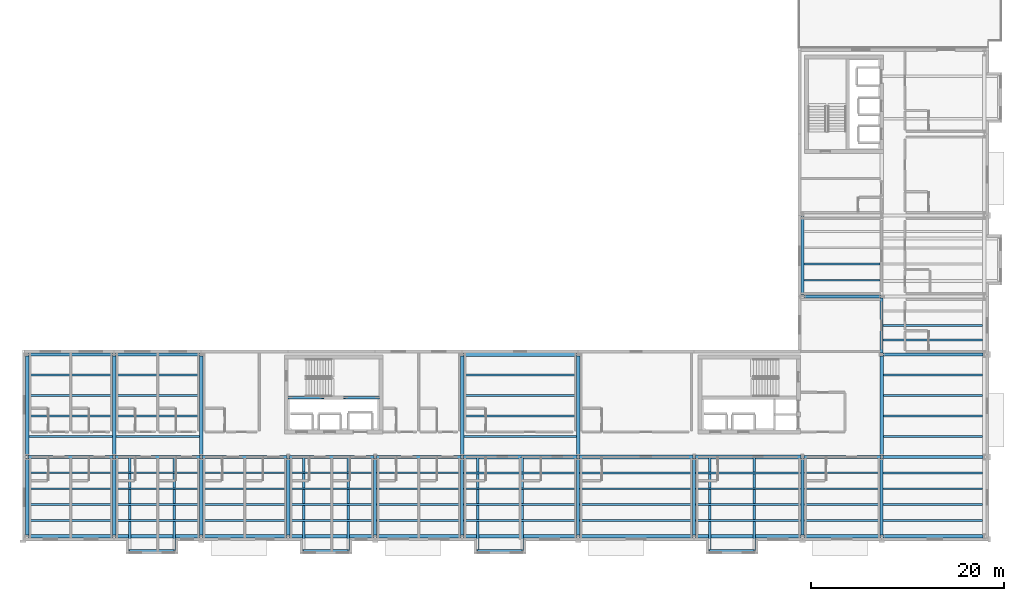
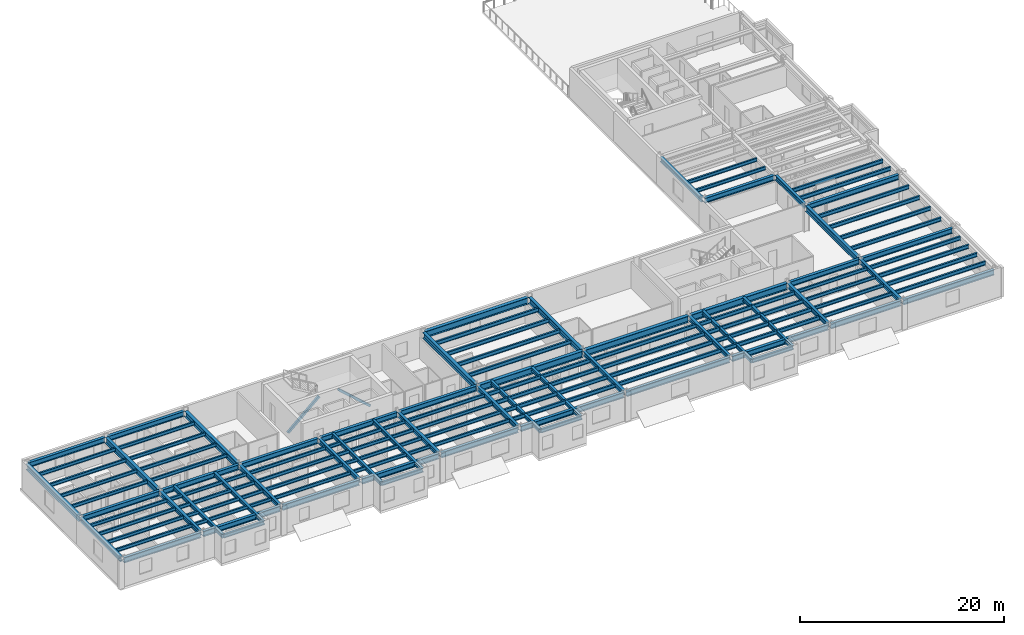
# One storey, part 4 of 19: 115 beams, 2 members.
"""IFC4 building model written with IfcOpenShell, lengths in metres."""

from ifc_helpers import new_model, si_unit, direction, frame, origin, origin_2d, place, context, subcontext, project, spatial, hollow_rectangle, i_section, extrude, material, material_profile, profile_set, type_object, element, save


model = new_model("IFC4")

# Units and contexts
model_context = context("Model", 3, precision=1e-05, world=origin(), true_north=direction((0.0, 1.0)))
body_context = subcontext(model_context, "Body", "Model", "MODEL_VIEW")
ifc_project = project(units=[si_unit("LENGTHUNIT", "METRE"), si_unit("AREAUNIT", "SQUARE_METRE"), si_unit("VOLUMEUNIT", "CUBIC_METRE"), si_unit("PLANEANGLEUNIT", "RADIAN"), si_unit("MASSUNIT", "GRAM", prefix="KILO")], contexts=[model_context])

# Site, building, storey
site_placement = place(None, origin())
site = spatial("IfcSite", under=ifc_project, at=site_placement, CompositionType="ELEMENT")
building_placement = place(site_placement, origin())
building = spatial("IfcBuilding", under=site, at=building_placement, Name="Sollismere Congress Hotel", CompositionType="ELEMENT")
storey_placement = place(building_placement, frame((0.0, 0.0, 34.10009765625)))
storey = spatial("IfcBuildingStorey", under=building, at=storey_placement, Name="L08", CompositionType="ELEMENT", Elevation=34.10009765625)

# Beams
ifc_material_1 = material(Name="Steel ASTM A992 Grade 50", Category="steel")
ifc_material_profile_1 = material_profile(ifc_material_1, i_section(OverallWidth=0.281982421875, OverallDepth=0.471923828125, WebThickness=0.013671875, FlangeThickness=0.022216796875, at=origin_2d()), Name="W18X97")
ifc_profile_set_1 = profile_set([ifc_material_profile_1], Name="Steel ASTM A992 Grade 50")
beam_type_1 = type_object("IfcBeamType", Name="BM-CK18E", PredefinedType="BEAM", material=ifc_profile_set_1)
for number, where, z_axis, x_axis, name in (
    (1, (77.60009765625, 8.199951171875, 2.97900390625), (0.0, -1.0, 0.0), (1.0, 0.0, 0.0), "Beam BM-L08-4014"),
    (2, (82.199951171875, 8.199951171875, 2.97900390625), (0.0, -1.0, 0.0), (1.0, 0.0, 0.0), "Beam BM-L08-4015"),
    (3, (95.60009765625, 8.199951171875, 2.97900390625), (0.0, -1.0, 0.0), (1.0, 0.0, 0.0), "Beam BM-L08-4017"),
    (4, (100.199951171875, 8.199951171875, 2.97900390625), (0.0, -1.0, 0.0), (1.0, 0.0, 0.0), "Beam BM-L08-4018"),
    (5, (113.60009765625, 8.199951171875, 2.97900390625), (0.0, -1.0, 0.0), (1.0, 0.0, 0.0), "Beam BM-L08-4020"),
    (6, (118.199951171875, 8.199951171875, 2.97900390625), (0.0, -1.0, 0.0), (1.0, 0.0, 0.0), "Beam BM-L08-4021"),
    (7, (137.60009765625, 8.199951171875, 2.97900390625), (0.0, -1.0, 0.0), (1.0, 0.0, 0.0), "Beam BM-L08-4023"),
    (8, (142.199951171875, 8.199951171875, 2.97900390625), (0.0, -1.0, 0.0), (1.0, 0.0, 0.0), "Beam BM-L08-4024"),
):
    element("IfcBeam", number, at=place(storey_placement, frame(where, z_axis=z_axis, x_axis=x_axis)), inside=storey, type_object=beam_type_1, Name=name, PredefinedType="BEAM", context=body_context, shape_type="SweptSolid", body=[
        extrude(i_section(OverallWidth=0.281982421875, OverallDepth=0.471923828125, WebThickness=0.013671875, FlangeThickness=0.022216796875, at=origin_2d()), origin(), (0.0, 0.0, 1.0), 9.68994140625),
    ])
ifc_material_profile_2 = material_profile(ifc_material_1, i_section(OverallWidth=0.31494140625, OverallDepth=0.551025390625, WebThickness=0.01513671875, FlangeThickness=0.0244140625, at=origin_2d()), Name="W21X122")
ifc_profile_set_2 = profile_set([ifc_material_profile_2], Name="Steel ASTM A992 Grade 50")
beam_type_2 = type_object("IfcBeamType", Name="BM-G21H", PredefinedType="BEAM", material=ifc_profile_set_2)
for number, where, z_axis, x_axis, name in (
    (9, (67.0, 0.139892578125, 2.939453125), (0.0, 1.0, 0.0), (-1.0, 0.0, 0.0), "Beam BM-L08-3436"),
    (10, (76.0, 0.139892578125, 2.939453125), (0.0, 1.0, 0.0), (-1.0, 0.0, 0.0), "Beam BM-L08-3438"),
    (11, (85.0, 0.139892578125, 2.939453125), (0.0, 1.0, 0.0), (-1.0, 0.0, 0.0), "Beam BM-L08-3440"),
    (12, (94.0, 0.139892578125, 2.939453125), (0.0, 1.0, 0.0), (-1.0, 0.0, 0.0), "Beam BM-L08-3442"),
    (13, (103.0, 0.139892578125, 2.939453125), (0.0, 1.0, 0.0), (-1.0, 0.0, 0.0), "Beam BM-L08-3443"),
    (14, (112.0, 0.139892578125, 2.939453125), (0.0, 1.0, 0.0), (-1.0, 0.0, 0.0), "Beam BM-L08-3444"),
    (15, (124.0, 0.139892578125, 2.939453125), (0.0, 1.0, 0.0), (-1.0, 0.0, 0.0), "Beam BM-L08-3446"),
    (16, (136.0, 0.139892578125, 2.939453125), (0.0, 1.0, 0.0), (-1.0, 0.0, 0.0), "Beam BM-L08-3448"),
    (17, (147.199951171875, 0.139892578125, 2.939453125), (0.0, 1.0, 0.0), (-1.0, 0.0, 0.0), "Beam BM-L08-3449"),
):
    element("IfcBeam", number, at=place(storey_placement, frame(where, z_axis=z_axis, x_axis=x_axis)), inside=storey, type_object=beam_type_2, Name=name, PredefinedType="BEAM", context=body_context, shape_type="SweptSolid", body=[
        extrude(i_section(OverallWidth=0.31494140625, OverallDepth=0.551025390625, WebThickness=0.01513671875, FlangeThickness=0.0244140625, at=origin_2d()), origin(), (0.0, 0.0, 1.0), 7.920166015625),
    ])
beam_1_placement = place(storey_placement, frame((147.199951171875, 24.93994140625, 2.939453125), z_axis=(0.0, 1.0, 0.0), x_axis=(-1.0, 0.0, 0.0)))
element("IfcBeam", 18, at=beam_1_placement, inside=storey, type_object=beam_type_2, Name="Beam BM-L08-3450", PredefinedType="BEAM", context=body_context, shape_type="SweptSolid", body=[
    extrude(i_section(OverallWidth=0.31494140625, OverallDepth=0.551025390625, WebThickness=0.01513671875, FlangeThickness=0.0244140625, at=origin_2d()), origin(), (0.0, 0.0, 1.0), 8.1201171875),
])
beam_2_placement = place(storey_placement, frame((155.39990234375, 0.139892578125, 2.939453125), z_axis=(0.0, 1.0, 0.0), x_axis=(-1.0, 0.0, 0.0)))
element("IfcBeam", 19, at=beam_2_placement, inside=storey, type_object=beam_type_2, Name="Beam BM-L08-3451", PredefinedType="BEAM", context=body_context, shape_type="SweptSolid", body=[
    extrude(i_section(OverallWidth=0.31494140625, OverallDepth=0.551025390625, WebThickness=0.01513671875, FlangeThickness=0.0244140625, at=origin_2d()), origin(), (0.0, 0.0, 1.0), 7.920166015625),
])
beam_3_placement = place(storey_placement, frame((155.39990234375, 18.93994140625, 2.939453125), z_axis=(0.0, 1.0, 0.0), x_axis=(-1.0, 0.0, 0.0)))
element("IfcBeam", 20, at=beam_3_placement, inside=storey, type_object=beam_type_2, Name="Beam BM-L08-3453", PredefinedType="BEAM", context=body_context, shape_type="SweptSolid", body=[
    extrude(i_section(OverallWidth=0.31494140625, OverallDepth=0.551025390625, WebThickness=0.01513671875, FlangeThickness=0.0244140625, at=origin_2d()), origin(), (0.0, 0.0, 1.0), 5.719970703125),
])
ifc_material_profile_3 = material_profile(ifc_material_1, i_section(OverallWidth=0.324951171875, OverallDepth=0.612060546875, WebThickness=0.0126953125, FlangeThickness=0.01904296875, at=origin_2d()), Name="W24X104")
ifc_profile_set_3 = profile_set([ifc_material_profile_3], Name="Steel ASTM A992 Grade 50")
beam_type_3 = type_object("IfcBeamType", Name="BM-G24", PredefinedType="BEAM", material=ifc_profile_set_3)
for number, where, z_axis, x_axis, name in (
    (21, (67.139892578125, 8.199951171875, 2.908935546875), (1.0, 0.0, 0.0), (0.0, 1.0, 0.0), "Beam BM-L08-3418"),
    (22, (76.139892578125, 8.199951171875, 2.908935546875), (1.0, 0.0, 0.0), (0.0, 1.0, 0.0), "Beam BM-L08-3419"),
    (23, (85.139892578125, 8.199951171875, 2.908935546875), (1.0, 0.0, 0.0), (0.0, 1.0, 0.0), "Beam BM-L08-3420"),
    (24, (94.139892578125, 8.199951171875, 2.908935546875), (1.0, 0.0, 0.0), (0.0, 1.0, 0.0), "Beam BM-L08-3421"),
    (25, (103.139892578125, 8.199951171875, 2.908935546875), (1.0, 0.0, 0.0), (0.0, 1.0, 0.0), "Beam BM-L08-3422"),
):
    element("IfcBeam", number, at=place(storey_placement, frame(where, z_axis=z_axis, x_axis=x_axis)), inside=storey, type_object=beam_type_3, Name=name, PredefinedType="BEAM", context=body_context, shape_type="SweptSolid", body=[
        extrude(i_section(OverallWidth=0.324951171875, OverallDepth=0.612060546875, WebThickness=0.0126953125, FlangeThickness=0.01904296875, at=origin_2d()), origin(), (0.0, 0.0, 1.0), 8.72021484375),
    ])
beam_4_placement = place(storey_placement, frame((147.340087890625, 8.199951171875, 2.908935546875), z_axis=(1.0, 0.0, 0.0), x_axis=(0.0, 1.0, 0.0)))
element("IfcBeam", 26, at=beam_4_placement, inside=storey, type_object=beam_type_3, Name="Beam BM-L08-3426", PredefinedType="BEAM", context=body_context, shape_type="SweptSolid", body=[
    extrude(i_section(OverallWidth=0.324951171875, OverallDepth=0.612060546875, WebThickness=0.0126953125, FlangeThickness=0.01904296875, at=origin_2d()), origin(), (0.0, 0.0, 1.0), 7.919921875),
])
beam_5_placement = place(storey_placement, frame((155.5400390625, 8.199951171875, 2.908935546875), z_axis=(1.0, 0.0, 0.0), x_axis=(0.0, 1.0, 0.0)))
element("IfcBeam", 27, at=beam_5_placement, inside=storey, type_object=beam_type_3, Name="Beam BM-L08-3427", PredefinedType="BEAM", context=body_context, shape_type="SweptSolid", body=[
    extrude(i_section(OverallWidth=0.324951171875, OverallDepth=0.612060546875, WebThickness=0.0126953125, FlangeThickness=0.01904296875, at=origin_2d()), origin(), (0.0, 0.0, 1.0), 10.320068359375),
])
for number, where, z_axis, x_axis, name in (
    (28, (67.139892578125, 18.800048828125, 2.908935546875), (1.0, 0.0, 0.0), (0.0, 1.0, 0.0), "Beam BM-L08-3428"),
    (29, (76.139892578125, 18.800048828125, 2.908935546875), (1.0, 0.0, 0.0), (0.0, 1.0, 0.0), "Beam BM-L08-3429"),
):
    element("IfcBeam", number, at=place(storey_placement, frame(where, z_axis=z_axis, x_axis=x_axis)), inside=storey, type_object=beam_type_3, Name=name, PredefinedType="BEAM", context=body_context, shape_type="SweptSolid", body=[
        extrude(i_section(OverallWidth=0.324951171875, OverallDepth=0.612060546875, WebThickness=0.0126953125, FlangeThickness=0.01904296875, at=origin_2d()), origin(), (0.0, 0.0, 1.0), 8.72021484375),
    ])
beam_6_placement = place(storey_placement, frame((155.5400390625, 18.800048828125, 2.908935546875), z_axis=(1.0, 0.0, 0.0), x_axis=(0.0, 1.0, 0.0)))
element("IfcBeam", 30, at=beam_6_placement, inside=storey, type_object=beam_type_3, Name="Beam BM-L08-3431", PredefinedType="BEAM", context=body_context, shape_type="SweptSolid", body=[
    extrude(i_section(OverallWidth=0.324951171875, OverallDepth=0.612060546875, WebThickness=0.0126953125, FlangeThickness=0.01904296875, at=origin_2d()), origin(), (0.0, 0.0, 1.0), 10.320068359375),
])
beam_7_placement = place(storey_placement, frame((147.340087890625, 24.800048828125, 2.908935546875), z_axis=(1.0, 0.0, 0.0), x_axis=(0.0, 1.0, 0.0)))
element("IfcBeam", 31, at=beam_7_placement, inside=storey, type_object=beam_type_3, Name="Beam BM-L08-3432", PredefinedType="BEAM", context=body_context, shape_type="SweptSolid", body=[
    extrude(i_section(OverallWidth=0.324951171875, OverallDepth=0.612060546875, WebThickness=0.0126953125, FlangeThickness=0.01904296875, at=origin_2d()), origin(), (0.0, 0.0, 1.0), 7.919921875),
])
ifc_material_profile_4 = material_profile(ifc_material_1, i_section(OverallWidth=0.35595703125, OverallDepth=0.696044921875, WebThickness=0.015380859375, FlangeThickness=0.025146484375, at=origin_2d()), Name="W27X146")
ifc_profile_set_4 = profile_set([ifc_material_profile_4], Name="Steel ASTM A992 Grade 50")
beam_type_4 = type_object("IfcBeamType", Name="BM-G27", PredefinedType="BEAM", material=ifc_profile_set_4)
for number, where, z_axis, x_axis, name in (
    (32, (67.0, 8.340087890625, 2.866943359375), (0.0, 1.0, 0.0), (-1.0, 0.0, 0.0), "Beam BM-L08-3437"),
    (33, (76.0, 8.340087890625, 2.866943359375), (0.0, 1.0, 0.0), (-1.0, 0.0, 0.0), "Beam BM-L08-3439"),
    (34, (85.0, 8.340087890625, 2.866943359375), (0.0, 1.0, 0.0), (-1.0, 0.0, 0.0), "Beam BM-L08-3441"),
    (35, (112.0, 8.340087890625, 2.866943359375), (0.0, 1.0, 0.0), (-1.0, 0.0, 0.0), "Beam BM-L08-3445"),
    (36, (124.0, 8.340087890625, 2.866943359375), (0.0, 1.0, 0.0), (-1.0, 0.0, 0.0), "Beam BM-L08-3447"),
    (37, (155.39990234375, 8.340087890625, 2.866943359375), (0.0, 1.0, 0.0), (-1.0, 0.0, 0.0), "Beam BM-L08-3452"),
):
    element("IfcBeam", number, at=place(storey_placement, frame(where, z_axis=z_axis, x_axis=x_axis)), inside=storey, type_object=beam_type_4, Name=name, PredefinedType="BEAM", context=body_context, shape_type="SweptSolid", body=[
        extrude(i_section(OverallWidth=0.35595703125, OverallDepth=0.696044921875, WebThickness=0.015380859375, FlangeThickness=0.025146484375, at=origin_2d()), origin(), (0.0, 0.0, 1.0), 10.31982421875),
    ])
ifc_material_profile_5 = material_profile(ifc_material_1, i_section(OverallWidth=0.384033203125, OverallDepth=0.787109375, WebThickness=0.019775390625, FlangeThickness=0.033447265625, at=origin_2d()), Name="W30X211")
ifc_profile_set_5 = profile_set([ifc_material_profile_5], Name="Steel ASTM A992 Grade 50")
beam_type_5 = type_object("IfcBeamType", Name="BM-G30", PredefinedType="BEAM", material=ifc_profile_set_5)
for number, where, z_axis, x_axis, name in (
    (38, (112.139892578125, 8.199951171875, 2.8212890625), (1.0, 0.0, 0.0), (0.0, 1.0, 0.0), "Beam BM-L08-3423"),
    (39, (124.139892578125, 8.199951171875, 2.8212890625), (1.0, 0.0, 0.0), (0.0, 1.0, 0.0), "Beam BM-L08-3424"),
):
    element("IfcBeam", number, at=place(storey_placement, frame(where, z_axis=z_axis, x_axis=x_axis)), inside=storey, type_object=beam_type_5, Name=name, PredefinedType="BEAM", context=body_context, shape_type="SweptSolid", body=[
        extrude(i_section(OverallWidth=0.384033203125, OverallDepth=0.787109375, WebThickness=0.019775390625, FlangeThickness=0.033447265625, at=origin_2d()), origin(), (0.0, 0.0, 1.0), 11.72021484375),
    ])
beam_8_placement = place(storey_placement, frame((136.139892578125, 8.199951171875, 2.8212890625), z_axis=(1.0, 0.0, 0.0), x_axis=(0.0, 1.0, 0.0)))
element("IfcBeam", 40, at=beam_8_placement, inside=storey, type_object=beam_type_5, Name="Beam BM-L08-3425", PredefinedType="BEAM", context=body_context, shape_type="SweptSolid", body=[
    extrude(i_section(OverallWidth=0.384033203125, OverallDepth=0.787109375, WebThickness=0.019775390625, FlangeThickness=0.033447265625, at=origin_2d()), origin(), (0.0, 0.0, 1.0), 10.920166015625),
])
beam_9_placement = place(storey_placement, frame((112.139892578125, 18.800048828125, 2.8212890625), z_axis=(1.0, 0.0, 0.0), x_axis=(0.0, 1.0, 0.0)))
element("IfcBeam", 41, at=beam_9_placement, inside=storey, type_object=beam_type_5, Name="Beam BM-L08-3430", PredefinedType="BEAM", context=body_context, shape_type="SweptSolid", body=[
    extrude(i_section(OverallWidth=0.384033203125, OverallDepth=0.787109375, WebThickness=0.019775390625, FlangeThickness=0.033447265625, at=origin_2d()), origin(), (0.0, 0.0, 1.0), 11.72021484375),
])
ifc_material_profile_6 = material_profile(ifc_material_1, i_section(OverallWidth=0.180908203125, OverallDepth=0.4169921875, WebThickness=0.010986328125, FlangeThickness=0.018310546875, at=origin_2d()), Name="W16X57")
ifc_profile_set_6 = profile_set([ifc_material_profile_6], Name="Steel ASTM A992 Grade 50")
beam_type_6 = type_object("IfcBeamType", Name="BM-J16", PredefinedType="JOIST", material=ifc_profile_set_6)
for number, where, z_axis, x_axis, name in (
    (42, (67.157470703125, 1.639892578125, 3.00634765625), (1.0, 0.0, 0.0), (0.0, 1.0, 0.0), "Beam BM-L08-3461"),
    (43, (67.157470703125, 3.280029296875, 3.00634765625), (1.0, 0.0, 0.0), (0.0, 1.0, 0.0), "Beam BM-L08-3462"),
    (44, (67.157470703125, 4.919921875, 3.00634765625), (1.0, 0.0, 0.0), (0.0, 1.0, 0.0), "Beam BM-L08-3463"),
    (45, (67.157470703125, 6.56005859375, 3.00634765625), (1.0, 0.0, 0.0), (0.0, 1.0, 0.0), "Beam BM-L08-3464"),
):
    element("IfcBeam", number, at=place(storey_placement, frame(where, z_axis=z_axis, x_axis=x_axis)), inside=storey, type_object=beam_type_6, Name=name, PredefinedType="JOIST", context=body_context, shape_type="SweptSolid", body=[
        extrude(i_section(OverallWidth=0.180908203125, OverallDepth=0.4169921875, WebThickness=0.010986328125, FlangeThickness=0.018310546875, at=origin_2d()), origin(), (0.0, 0.0, 1.0), 8.68505859375),
    ])
for number, where, z_axis, x_axis, name in (
    (46, (67.177978515625, 10.320068359375, 3.00634765625), (1.0, 0.0, 0.0), (0.0, 1.0, 0.0), "Beam BM-L08-3465"),
    (47, (67.177978515625, 12.43994140625, 3.00634765625), (1.0, 0.0, 0.0), (0.0, 1.0, 0.0), "Beam BM-L08-3466"),
    (48, (67.177978515625, 14.56005859375, 3.00634765625), (1.0, 0.0, 0.0), (0.0, 1.0, 0.0), "Beam BM-L08-3467"),
    (49, (67.177978515625, 16.679931640625, 3.00634765625), (1.0, 0.0, 0.0), (0.0, 1.0, 0.0), "Beam BM-L08-3468"),
):
    element("IfcBeam", number, at=place(storey_placement, frame(where, z_axis=z_axis, x_axis=x_axis)), inside=storey, type_object=beam_type_6, Name=name, PredefinedType="JOIST", context=body_context, shape_type="SweptSolid", body=[
        extrude(i_section(OverallWidth=0.180908203125, OverallDepth=0.4169921875, WebThickness=0.010986328125, FlangeThickness=0.018310546875, at=origin_2d()), origin(), (0.0, 0.0, 1.0), 8.64404296875),
    ])
for number, where, z_axis, x_axis, name in (
    (50, (76.157470703125, 1.639892578125, 3.00634765625), (1.0, 0.0, 0.0), (0.0, 1.0, 0.0), "Beam BM-L08-3469"),
    (51, (76.157470703125, 3.280029296875, 3.00634765625), (1.0, 0.0, 0.0), (0.0, 1.0, 0.0), "Beam BM-L08-3470"),
    (52, (76.157470703125, 4.919921875, 3.00634765625), (1.0, 0.0, 0.0), (0.0, 1.0, 0.0), "Beam BM-L08-3471"),
    (53, (76.157470703125, 6.56005859375, 3.00634765625), (1.0, 0.0, 0.0), (0.0, 1.0, 0.0), "Beam BM-L08-3472"),
):
    element("IfcBeam", number, at=place(storey_placement, frame(where, z_axis=z_axis, x_axis=x_axis)), inside=storey, type_object=beam_type_6, Name=name, PredefinedType="JOIST", context=body_context, shape_type="SweptSolid", body=[
        extrude(i_section(OverallWidth=0.180908203125, OverallDepth=0.4169921875, WebThickness=0.010986328125, FlangeThickness=0.018310546875, at=origin_2d()), origin(), (0.0, 0.0, 1.0), 8.68505859375),
    ])
for number, where, z_axis, x_axis, name in (
    (54, (76.177978515625, 10.320068359375, 3.00634765625), (1.0, 0.0, 0.0), (0.0, 1.0, 0.0), "Beam BM-L08-3473"),
    (55, (76.177978515625, 12.43994140625, 3.00634765625), (1.0, 0.0, 0.0), (0.0, 1.0, 0.0), "Beam BM-L08-3474"),
    (56, (76.177978515625, 14.56005859375, 3.00634765625), (1.0, 0.0, 0.0), (0.0, 1.0, 0.0), "Beam BM-L08-3475"),
    (57, (76.177978515625, 16.679931640625, 3.00634765625), (1.0, 0.0, 0.0), (0.0, 1.0, 0.0), "Beam BM-L08-3476"),
):
    element("IfcBeam", number, at=place(storey_placement, frame(where, z_axis=z_axis, x_axis=x_axis)), inside=storey, type_object=beam_type_6, Name=name, PredefinedType="JOIST", context=body_context, shape_type="SweptSolid", body=[
        extrude(i_section(OverallWidth=0.180908203125, OverallDepth=0.4169921875, WebThickness=0.010986328125, FlangeThickness=0.018310546875, at=origin_2d()), origin(), (0.0, 0.0, 1.0), 8.64404296875),
    ])
for number, where, z_axis, x_axis, name in (
    (58, (85.157470703125, 1.639892578125, 3.00634765625), (1.0, 0.0, 0.0), (0.0, 1.0, 0.0), "Beam BM-L08-3477"),
    (59, (85.157470703125, 3.280029296875, 3.00634765625), (1.0, 0.0, 0.0), (0.0, 1.0, 0.0), "Beam BM-L08-3478"),
    (60, (85.157470703125, 4.919921875, 3.00634765625), (1.0, 0.0, 0.0), (0.0, 1.0, 0.0), "Beam BM-L08-3479"),
    (61, (85.157470703125, 6.56005859375, 3.00634765625), (1.0, 0.0, 0.0), (0.0, 1.0, 0.0), "Beam BM-L08-3480"),
    (62, (94.157470703125, 1.639892578125, 3.00634765625), (1.0, 0.0, 0.0), (0.0, 1.0, 0.0), "Beam BM-L08-3481"),
    (63, (94.157470703125, 3.280029296875, 3.00634765625), (1.0, 0.0, 0.0), (0.0, 1.0, 0.0), "Beam BM-L08-3482"),
    (64, (94.157470703125, 4.919921875, 3.00634765625), (1.0, 0.0, 0.0), (0.0, 1.0, 0.0), "Beam BM-L08-3483"),
    (65, (94.157470703125, 6.56005859375, 3.00634765625), (1.0, 0.0, 0.0), (0.0, 1.0, 0.0), "Beam BM-L08-3484"),
    (66, (103.157470703125, 1.639892578125, 3.00634765625), (1.0, 0.0, 0.0), (0.0, 1.0, 0.0), "Beam BM-L08-3485"),
    (67, (103.157470703125, 3.280029296875, 3.00634765625), (1.0, 0.0, 0.0), (0.0, 1.0, 0.0), "Beam BM-L08-3486"),
    (68, (103.157470703125, 4.919921875, 3.00634765625), (1.0, 0.0, 0.0), (0.0, 1.0, 0.0), "Beam BM-L08-3487"),
    (69, (103.157470703125, 6.56005859375, 3.00634765625), (1.0, 0.0, 0.0), (0.0, 1.0, 0.0), "Beam BM-L08-3488"),
):
    element("IfcBeam", number, at=place(storey_placement, frame(where, z_axis=z_axis, x_axis=x_axis)), inside=storey, type_object=beam_type_6, Name=name, PredefinedType="JOIST", context=body_context, shape_type="SweptSolid", body=[
        extrude(i_section(OverallWidth=0.180908203125, OverallDepth=0.4169921875, WebThickness=0.010986328125, FlangeThickness=0.018310546875, at=origin_2d()), origin(), (0.0, 0.0, 1.0), 8.68505859375),
    ])
for number, where, z_axis, x_axis, name in (
    (70, (147.357421875, 1.639892578125, 3.00634765625), (1.0, 0.0, 0.0), (0.0, 1.0, 0.0), "Beam BM-L08-3505"),
    (71, (147.357421875, 3.280029296875, 3.00634765625), (1.0, 0.0, 0.0), (0.0, 1.0, 0.0), "Beam BM-L08-3506"),
    (72, (147.357421875, 4.919921875, 3.00634765625), (1.0, 0.0, 0.0), (0.0, 1.0, 0.0), "Beam BM-L08-3507"),
    (73, (147.357421875, 6.56005859375, 3.00634765625), (1.0, 0.0, 0.0), (0.0, 1.0, 0.0), "Beam BM-L08-3508"),
    (74, (147.357421875, 26.47998046875, 3.00634765625), (1.0, 0.0, 0.0), (0.0, 1.0, 0.0), "Beam BM-L08-3509"),
    (75, (147.357421875, 28.159912109375, 3.00634765625), (1.0, 0.0, 0.0), (0.0, 1.0, 0.0), "Beam BM-L08-3510"),
):
    element("IfcBeam", number, at=place(storey_placement, frame(where, z_axis=z_axis, x_axis=x_axis)), inside=storey, type_object=beam_type_6, Name=name, PredefinedType="JOIST", context=body_context, shape_type="SweptSolid", body=[
        extrude(i_section(OverallWidth=0.180908203125, OverallDepth=0.4169921875, WebThickness=0.010986328125, FlangeThickness=0.018310546875, at=origin_2d()), origin(), (0.0, 0.0, 1.0), 7.885009765625),
    ])
ifc_material_profile_7 = material_profile(ifc_material_1, i_section(OverallWidth=0.193115234375, OverallDepth=0.467041015625, WebThickness=0.011474609375, FlangeThickness=0.01904296875, at=origin_2d()), Name="W18X65")
ifc_profile_set_7 = profile_set([ifc_material_profile_7], Name="Steel ASTM A992 Grade 50")
beam_type_7 = type_object("IfcBeamType", Name="BM-J18", PredefinedType="JOIST", material=ifc_profile_set_7)
for number, where, z_axis, x_axis, name in (
    (76, (112.157470703125, 1.639892578125, 2.9814453125), (1.0, 0.0, 0.0), (0.0, 1.0, 0.0), "Beam BM-L08-3489"),
    (77, (112.157470703125, 3.280029296875, 2.9814453125), (1.0, 0.0, 0.0), (0.0, 1.0, 0.0), "Beam BM-L08-3490"),
    (78, (112.157470703125, 4.919921875, 2.9814453125), (1.0, 0.0, 0.0), (0.0, 1.0, 0.0), "Beam BM-L08-3491"),
    (79, (112.157470703125, 6.56005859375, 2.9814453125), (1.0, 0.0, 0.0), (0.0, 1.0, 0.0), "Beam BM-L08-3492"),
):
    element("IfcBeam", number, at=place(storey_placement, frame(where, z_axis=z_axis, x_axis=x_axis)), inside=storey, type_object=beam_type_7, Name=name, PredefinedType="JOIST", context=body_context, shape_type="SweptSolid", body=[
        extrude(i_section(OverallWidth=0.193115234375, OverallDepth=0.467041015625, WebThickness=0.011474609375, FlangeThickness=0.01904296875, at=origin_2d()), origin(), (0.0, 0.0, 1.0), 11.68505859375),
    ])
for number, where, z_axis, x_axis, name in (
    (80, (112.177978515625, 10.320068359375, 2.9814453125), (1.0, 0.0, 0.0), (0.0, 1.0, 0.0), "Beam BM-L08-3493"),
    (81, (112.177978515625, 12.43994140625, 2.9814453125), (1.0, 0.0, 0.0), (0.0, 1.0, 0.0), "Beam BM-L08-3494"),
    (82, (112.177978515625, 14.56005859375, 2.9814453125), (1.0, 0.0, 0.0), (0.0, 1.0, 0.0), "Beam BM-L08-3495"),
    (83, (112.177978515625, 16.679931640625, 2.9814453125), (1.0, 0.0, 0.0), (0.0, 1.0, 0.0), "Beam BM-L08-3496"),
):
    element("IfcBeam", number, at=place(storey_placement, frame(where, z_axis=z_axis, x_axis=x_axis)), inside=storey, type_object=beam_type_7, Name=name, PredefinedType="JOIST", context=body_context, shape_type="SweptSolid", body=[
        extrude(i_section(OverallWidth=0.193115234375, OverallDepth=0.467041015625, WebThickness=0.011474609375, FlangeThickness=0.01904296875, at=origin_2d()), origin(), (0.0, 0.0, 1.0), 11.64404296875),
    ])
for number, where, z_axis, x_axis, name in (
    (84, (124.157470703125, 1.639892578125, 2.9814453125), (1.0, 0.0, 0.0), (0.0, 1.0, 0.0), "Beam BM-L08-3497"),
    (85, (124.157470703125, 3.280029296875, 2.9814453125), (1.0, 0.0, 0.0), (0.0, 1.0, 0.0), "Beam BM-L08-3498"),
    (86, (124.157470703125, 4.919921875, 2.9814453125), (1.0, 0.0, 0.0), (0.0, 1.0, 0.0), "Beam BM-L08-3499"),
    (87, (124.157470703125, 6.56005859375, 2.9814453125), (1.0, 0.0, 0.0), (0.0, 1.0, 0.0), "Beam BM-L08-3500"),
):
    element("IfcBeam", number, at=place(storey_placement, frame(where, z_axis=z_axis, x_axis=x_axis)), inside=storey, type_object=beam_type_7, Name=name, PredefinedType="JOIST", context=body_context, shape_type="SweptSolid", body=[
        extrude(i_section(OverallWidth=0.193115234375, OverallDepth=0.467041015625, WebThickness=0.011474609375, FlangeThickness=0.01904296875, at=origin_2d()), origin(), (0.0, 0.0, 1.0), 11.68505859375),
    ])
for number, where, z_axis, x_axis, name in (
    (88, (136.157470703125, 1.639892578125, 2.9814453125), (1.0, 0.0, 0.0), (0.0, 1.0, 0.0), "Beam BM-L08-3501"),
    (89, (136.157470703125, 3.280029296875, 2.9814453125), (1.0, 0.0, 0.0), (0.0, 1.0, 0.0), "Beam BM-L08-3502"),
    (90, (136.157470703125, 4.919921875, 2.9814453125), (1.0, 0.0, 0.0), (0.0, 1.0, 0.0), "Beam BM-L08-3503"),
    (91, (136.157470703125, 6.56005859375, 2.9814453125), (1.0, 0.0, 0.0), (0.0, 1.0, 0.0), "Beam BM-L08-3504"),
):
    element("IfcBeam", number, at=place(storey_placement, frame(where, z_axis=z_axis, x_axis=x_axis)), inside=storey, type_object=beam_type_7, Name=name, PredefinedType="JOIST", context=body_context, shape_type="SweptSolid", body=[
        extrude(i_section(OverallWidth=0.193115234375, OverallDepth=0.467041015625, WebThickness=0.011474609375, FlangeThickness=0.01904296875, at=origin_2d()), origin(), (0.0, 0.0, 1.0), 10.885009765625),
    ])
for number, where, z_axis, x_axis, name in (
    (92, (155.5576171875, 1.639892578125, 2.9814453125), (1.0, 0.0, 0.0), (0.0, 1.0, 0.0), "Beam BM-L08-3513"),
    (93, (155.5576171875, 3.280029296875, 2.9814453125), (1.0, 0.0, 0.0), (0.0, 1.0, 0.0), "Beam BM-L08-3514"),
    (94, (155.5576171875, 4.919921875, 2.9814453125), (1.0, 0.0, 0.0), (0.0, 1.0, 0.0), "Beam BM-L08-3515"),
    (95, (155.5576171875, 6.56005859375, 2.9814453125), (1.0, 0.0, 0.0), (0.0, 1.0, 0.0), "Beam BM-L08-3516"),
):
    element("IfcBeam", number, at=place(storey_placement, frame(where, z_axis=z_axis, x_axis=x_axis)), inside=storey, type_object=beam_type_7, Name=name, PredefinedType="JOIST", context=body_context, shape_type="SweptSolid", body=[
        extrude(i_section(OverallWidth=0.193115234375, OverallDepth=0.467041015625, WebThickness=0.011474609375, FlangeThickness=0.01904296875, at=origin_2d()), origin(), (0.0, 0.0, 1.0), 10.27734375),
    ])
for number, where, z_axis, x_axis, name in (
    (96, (155.577880859375, 10.320068359375, 2.9814453125), (1.0, 0.0, 0.0), (0.0, 1.0, 0.0), "Beam BM-L08-3517"),
    (97, (155.577880859375, 12.43994140625, 2.9814453125), (1.0, 0.0, 0.0), (0.0, 1.0, 0.0), "Beam BM-L08-3518"),
    (98, (155.577880859375, 14.56005859375, 2.9814453125), (1.0, 0.0, 0.0), (0.0, 1.0, 0.0), "Beam BM-L08-3519"),
    (99, (155.577880859375, 16.679931640625, 2.9814453125), (1.0, 0.0, 0.0), (0.0, 1.0, 0.0), "Beam BM-L08-3520"),
):
    element("IfcBeam", number, at=place(storey_placement, frame(where, z_axis=z_axis, x_axis=x_axis)), inside=storey, type_object=beam_type_7, Name=name, PredefinedType="JOIST", context=body_context, shape_type="SweptSolid", body=[
        extrude(i_section(OverallWidth=0.193115234375, OverallDepth=0.467041015625, WebThickness=0.011474609375, FlangeThickness=0.01904296875, at=origin_2d()), origin(), (0.0, 0.0, 1.0), 10.257080078125),
    ])
for number, where, z_axis, x_axis, name in (
    (100, (155.5576171875, 20.300048828125, 2.9814453125), (1.0, 0.0, 0.0), (0.0, 1.0, 0.0), "Beam BM-L08-3521"),
    (101, (155.5576171875, 21.800048828125, 2.9814453125), (1.0, 0.0, 0.0), (0.0, 1.0, 0.0), "Beam BM-L08-3522"),
):
    element("IfcBeam", number, at=place(storey_placement, frame(where, z_axis=z_axis, x_axis=x_axis)), inside=storey, type_object=beam_type_7, Name=name, PredefinedType="JOIST", context=body_context, shape_type="SweptSolid", body=[
        extrude(i_section(OverallWidth=0.193115234375, OverallDepth=0.467041015625, WebThickness=0.011474609375, FlangeThickness=0.01904296875, at=origin_2d()), origin(), (0.0, 0.0, 1.0), 10.27734375),
    ])
ifc_material_profile_8 = material_profile(ifc_material_1, i_section(OverallWidth=0.261962890625, OverallDepth=0.4189453125, WebThickness=0.01171875, FlangeThickness=0.019287109375, at=origin_2d()), Name="W16X77")
ifc_profile_set_8 = profile_set([ifc_material_profile_8], Name="Steel ASTM A992 Grade 50")
beam_type_8 = type_object("IfcBeamType", Name="BM-LN16E", PredefinedType="LINTEL", material=ifc_profile_set_8)
for number, where, z_axis, x_axis, name in (
    (102, (77.60009765625, -1.489990234375, 3.00537109375), (1.0, 0.0, 0.0), (0.0, 1.0, 0.0), "Beam BM-L08-4016"),
    (103, (95.60009765625, -1.489990234375, 3.00537109375), (1.0, 0.0, 0.0), (0.0, 1.0, 0.0), "Beam BM-L08-4019"),
    (104, (113.60009765625, -1.489990234375, 3.00537109375), (1.0, 0.0, 0.0), (0.0, 1.0, 0.0), "Beam BM-L08-4022"),
    (105, (137.60009765625, -1.489990234375, 3.00537109375), (1.0, 0.0, 0.0), (0.0, 1.0, 0.0), "Beam BM-L08-4025"),
):
    element("IfcBeam", number, at=place(storey_placement, frame(where, z_axis=z_axis, x_axis=x_axis)), inside=storey, type_object=beam_type_8, Name=name, PredefinedType="LINTEL", context=body_context, shape_type="SweptSolid", body=[
        extrude(i_section(OverallWidth=0.261962890625, OverallDepth=0.4189453125, WebThickness=0.01171875, FlangeThickness=0.019287109375, at=origin_2d()), origin(), (0.0, 0.0, 1.0), 4.599853515625),
    ])
ifc_material_profile_9 = material_profile(ifc_material_1, i_section(OverallWidth=0.330078125, OverallDepth=0.635009765625, WebThickness=0.017822265625, FlangeThickness=0.031005859375, at=origin_2d()), Name="W24X162")
ifc_profile_set_9 = profile_set([ifc_material_profile_9], Name="Steel ASTM A992 Grade 50")
beam_type_9 = type_object("IfcBeamType", Name="BM-SP24E", PredefinedType="SPANDREL", material=ifc_profile_set_9)
for number, where, z_axis, x_axis, name in (
    (106, (67.139892578125, 0.0, 2.8974609375), (1.0, 0.0, 0.0), (0.0, 1.0, 0.0), "Beam BM-L08-3408"),
    (107, (76.139892578125, 0.0, 2.8974609375), (1.0, 0.0, 0.0), (0.0, 1.0, 0.0), "Beam BM-L08-3409"),
    (108, (85.139892578125, 0.0, 2.8974609375), (1.0, 0.0, 0.0), (0.0, 1.0, 0.0), "Beam BM-L08-3410"),
    (109, (94.139892578125, 0.0, 2.8974609375), (1.0, 0.0, 0.0), (0.0, 1.0, 0.0), "Beam BM-L08-3411"),
    (110, (103.139892578125, 0.0, 2.8974609375), (1.0, 0.0, 0.0), (0.0, 1.0, 0.0), "Beam BM-L08-3412"),
):
    element("IfcBeam", number, at=place(storey_placement, frame(where, z_axis=z_axis, x_axis=x_axis)), inside=storey, type_object=beam_type_9, Name=name, PredefinedType="SPANDREL", context=body_context, shape_type="SweptSolid", body=[
        extrude(i_section(OverallWidth=0.330078125, OverallDepth=0.635009765625, WebThickness=0.017822265625, FlangeThickness=0.031005859375, at=origin_2d()), origin(), (0.0, 0.0, 1.0), 8.72021484375),
    ])
for number, where, z_axis, x_axis, name in (
    (111, (112.139892578125, 0.0, 2.8974609375), (1.0, 0.0, 0.0), (0.0, 1.0, 0.0), "Beam BM-L08-3413"),
    (112, (124.139892578125, 0.0, 2.8974609375), (1.0, 0.0, 0.0), (0.0, 1.0, 0.0), "Beam BM-L08-3414"),
):
    element("IfcBeam", number, at=place(storey_placement, frame(where, z_axis=z_axis, x_axis=x_axis)), inside=storey, type_object=beam_type_9, Name=name, PredefinedType="SPANDREL", context=body_context, shape_type="SweptSolid", body=[
        extrude(i_section(OverallWidth=0.330078125, OverallDepth=0.635009765625, WebThickness=0.017822265625, FlangeThickness=0.031005859375, at=origin_2d()), origin(), (0.0, 0.0, 1.0), 11.72021484375),
    ])
beam_10_placement = place(storey_placement, frame((136.139892578125, 0.0, 2.8974609375), z_axis=(1.0, 0.0, 0.0), x_axis=(0.0, 1.0, 0.0)))
element("IfcBeam", 113, at=beam_10_placement, inside=storey, type_object=beam_type_9, Name="Beam BM-L08-3415", PredefinedType="SPANDREL", context=body_context, shape_type="SweptSolid", body=[
    extrude(i_section(OverallWidth=0.330078125, OverallDepth=0.635009765625, WebThickness=0.017822265625, FlangeThickness=0.031005859375, at=origin_2d()), origin(), (0.0, 0.0, 1.0), 10.920166015625),
])
beam_11_placement = place(storey_placement, frame((147.340087890625, 0.0, 2.8974609375), z_axis=(1.0, 0.0, 0.0), x_axis=(0.0, 1.0, 0.0)))
element("IfcBeam", 114, at=beam_11_placement, inside=storey, type_object=beam_type_9, Name="Beam BM-L08-3416", PredefinedType="SPANDREL", context=body_context, shape_type="SweptSolid", body=[
    extrude(i_section(OverallWidth=0.330078125, OverallDepth=0.635009765625, WebThickness=0.017822265625, FlangeThickness=0.031005859375, at=origin_2d()), origin(), (0.0, 0.0, 1.0), 7.919921875),
])
beam_12_placement = place(storey_placement, frame((155.5400390625, 0.0, 2.8974609375), z_axis=(1.0, 0.0, 0.0), x_axis=(0.0, 1.0, 0.0)))
element("IfcBeam", 115, at=beam_12_placement, inside=storey, type_object=beam_type_9, Name="Beam BM-L08-3417", PredefinedType="SPANDREL", context=body_context, shape_type="SweptSolid", body=[
    extrude(i_section(OverallWidth=0.330078125, OverallDepth=0.635009765625, WebThickness=0.017822265625, FlangeThickness=0.031005859375, at=origin_2d()), origin(), (0.0, 0.0, 1.0), 10.320068359375),
])

# Members
ifc_material_2 = material(Name="Steel ASTM A500 Grade C", Category="steel")
ifc_material_profile_10 = material_profile(ifc_material_2, hollow_rectangle(XDim=0.25, YDim=0.25, WallThickness=0.010009765625, at=origin_2d()), Name="HSS250X250X10")
ifc_profile_set_10 = profile_set([ifc_material_profile_10], Name="Steel ASTM A500 Grade C")
member_type = type_object("IfcMemberType", Name="MB-BR250", PredefinedType="BRACE", material=ifc_profile_set_10)
for number, where, z_axis, x_axis, name in (
    (116, (94.050048828125, 14.35009765625, 0.02001953125), (0.745403516587, 0.0, 0.66661352931), (0.0, 1.0, 0.0), "BF-017 diagonal brace"),
    (117, (103.35009765625, 14.35009765625, 0.02001953125), (-0.745403516587, 0.0, 0.66661352931), (0.0, -1.0, 0.0), "BF-018 diagonal brace"),
):
    element("IfcMember", number, at=place(storey_placement, frame(where, z_axis=z_axis, x_axis=x_axis)), inside=storey, type_object=member_type, Name=name, PredefinedType="BRACE", context=body_context, shape_type="SweptSolid", body=[
        extrude(hollow_rectangle(XDim=0.25, YDim=0.25, WallThickness=0.010009765625, at=origin_2d()), origin(), (0.0, 0.0, 1.0), 4.7626953125),
    ])

save(model, "model.ifc")
